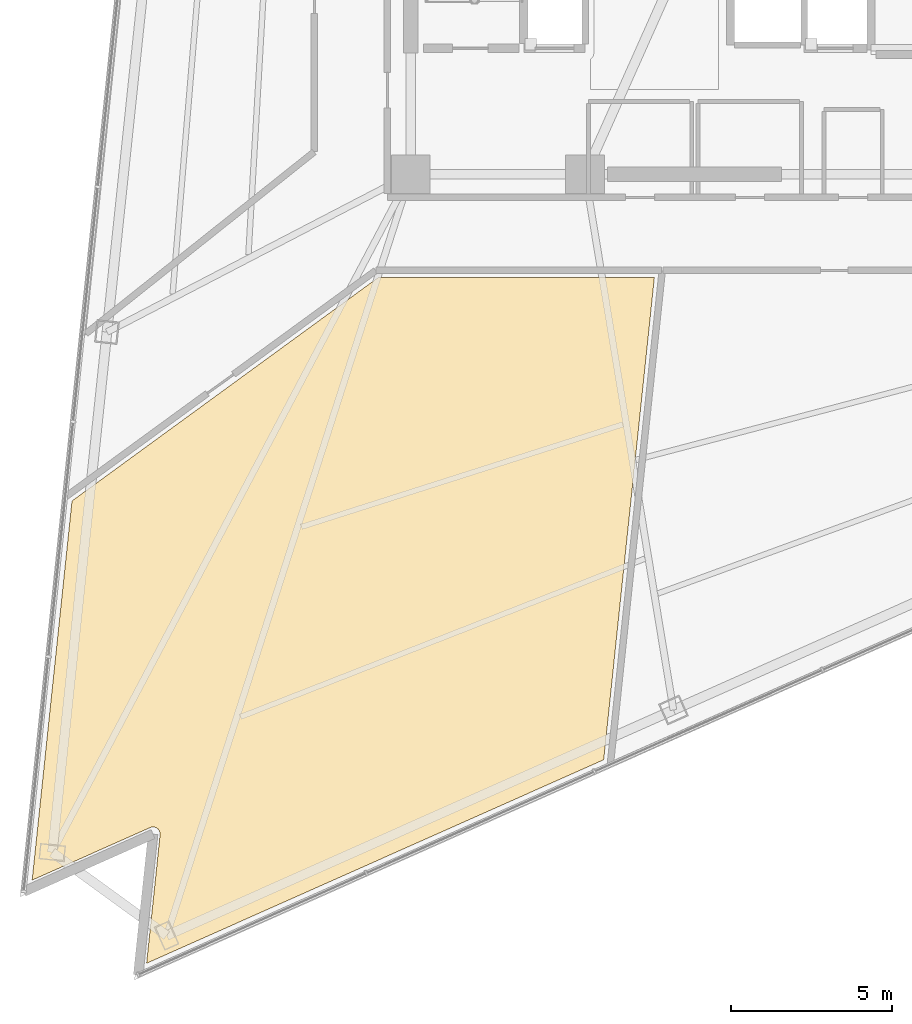
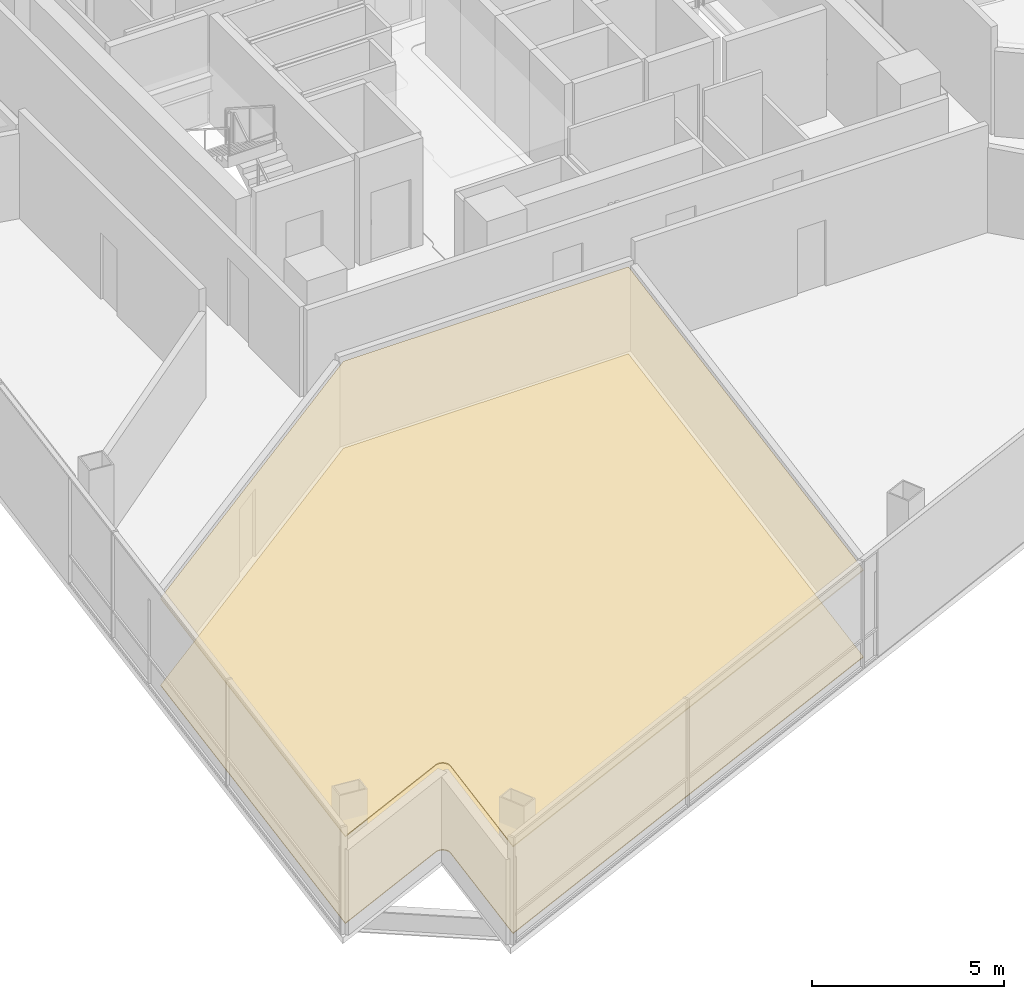
# One storey, part 14 of 19: 2 coverings.
"""IFC4 building model written with IfcOpenShell, lengths in metres."""

from ifc_helpers import new_model, si_unit, direction, frame, origin, place, context, subcontext, project, spatial, polyline, outline, extrude, material, layer, layer_set, type_object, element, save


model = new_model("IFC4")

# Units and contexts
model_context = context("Model", 3, precision=1e-05, world=origin(), true_north=direction((0.0, 1.0)))
body_context = subcontext(model_context, "Body", "Model", "MODEL_VIEW")
ifc_project = project(units=[si_unit("LENGTHUNIT", "METRE"), si_unit("AREAUNIT", "SQUARE_METRE"), si_unit("VOLUMEUNIT", "CUBIC_METRE"), si_unit("PLANEANGLEUNIT", "RADIAN"), si_unit("MASSUNIT", "GRAM", prefix="KILO")], contexts=[model_context])

# Site, building, storey
site_placement = place(None, origin())
site = spatial("IfcSite", under=ifc_project, at=site_placement, CompositionType="ELEMENT")
building_placement = place(site_placement, origin())
building = spatial("IfcBuilding", under=site, at=building_placement, Name="Tharavind Bronze Gate", CompositionType="ELEMENT")
storey_placement = place(building_placement, frame((0.0, 0.0, 126.85009765625)))
storey = spatial("IfcBuildingStorey", under=building, at=storey_placement, Name="L32", CompositionType="ELEMENT", Elevation=126.85009765625)

# Coverings
ifc_material_1 = material(Name="Engineered Oak & Carpet Tile", Category="wood")
ifc_layer_1 = layer(ifc_material_1, 0.02490234375)
ifc_layer_set_1 = layer_set([ifc_layer_1], Name="Engineered Oak & Carpet Tile")
covering_type_1 = type_object("IfcCoveringType", Name="ENGINEERED TIMBER FLOORING", PredefinedType="FLOORING", material=ifc_layer_set_1)
covering_1_placement = place(storey_placement, origin())
element("IfcCovering", 1, at=covering_1_placement, inside=storey, type_object=covering_type_1, Name="L32-RM-05 floor finish", PredefinedType="FLOORING", context=body_context, shape_type="SweptSolid", body=[
    extrude(outline(polyline([(-16.967529296875, -27.8291015625), (-16.957275390625, -27.824951171875), (-16.956787109375, -27.82470703125), (-16.93603515625, -27.81787109375), (-16.91455078125, -27.81298828125), (-16.892822265625, -27.810302734375), (-16.870849609375, -27.809814453125), (-16.84912109375, -27.811767578125), (-16.827392578125, -27.815673828125), (-16.806396484375, -27.82177734375), (-16.785888671875, -27.829833984375), (-16.7666015625, -27.83984375), (-16.748046875, -27.851806640625), (-16.73095703125, -27.865478515625), (-16.71533203125, -27.881103515625), (-16.701416015625, -27.89794921875), (-16.689208984375, -27.916015625), (-16.6787109375, -27.935302734375), (-16.67041015625, -27.95556640625), (-16.6640625, -27.9765625), (-16.65966796875, -27.998046875), (-16.65771484375, -28.02001953125), (-16.65771484375, -28.0419921875), (-16.65771484375, -28.04248046875), (-16.65869140625, -28.053466796875), (-17.07666015625, -32.02978515625), (-2.925537109375, -25.7294921875), (-1.356201171875, -10.800048828125), (-9.906494140625, -10.800048828125), (-19.38623046875, -17.71630859375), (-20.6201171875, -29.455322265625), (-16.967529296875, -27.8291015625)])), origin(), (0.0, 0.0, 1.0), 0.02490234375),
])
ifc_material_2 = material(Name="Acoustic Gypsum Board", Category="gypsum")
ifc_layer_2 = layer(ifc_material_2, 0.030029296875)
ifc_layer_set_2 = layer_set([ifc_layer_2], Name="Acoustic Gypsum Board")
covering_type_2 = type_object("IfcCoveringType", Name="GYPSUM SUSPENDED CEILING", PredefinedType="CEILING", material=ifc_layer_set_2)
covering_2_placement = place(storey_placement, frame((0.0, 0.0, 2.75)))
element("IfcCovering", 2, at=covering_2_placement, inside=storey, type_object=covering_type_2, Name="L32-RM-05 suspended ceiling", PredefinedType="CEILING", context=body_context, shape_type="SweptSolid", body=[
    extrude(outline(polyline([(-16.967529296875, -27.8291015625), (-16.957275390625, -27.824951171875), (-16.956787109375, -27.82470703125), (-16.93603515625, -27.81787109375), (-16.91455078125, -27.81298828125), (-16.892822265625, -27.810302734375), (-16.870849609375, -27.809814453125), (-16.84912109375, -27.811767578125), (-16.827392578125, -27.815673828125), (-16.806396484375, -27.82177734375), (-16.785888671875, -27.829833984375), (-16.7666015625, -27.83984375), (-16.748046875, -27.851806640625), (-16.73095703125, -27.865478515625), (-16.71533203125, -27.881103515625), (-16.701416015625, -27.89794921875), (-16.689208984375, -27.916015625), (-16.6787109375, -27.935302734375), (-16.67041015625, -27.95556640625), (-16.6640625, -27.9765625), (-16.65966796875, -27.998046875), (-16.65771484375, -28.02001953125), (-16.65771484375, -28.0419921875), (-16.65771484375, -28.04248046875), (-16.65869140625, -28.053466796875), (-17.07666015625, -32.02978515625), (-2.925537109375, -25.7294921875), (-1.356201171875, -10.800048828125), (-9.906494140625, -10.800048828125), (-19.38623046875, -17.71630859375), (-20.6201171875, -29.455322265625), (-16.967529296875, -27.8291015625)])), origin(), (0.0, 0.0, 1.0), 0.034912109375),
])

save(model, "model.ifc")
